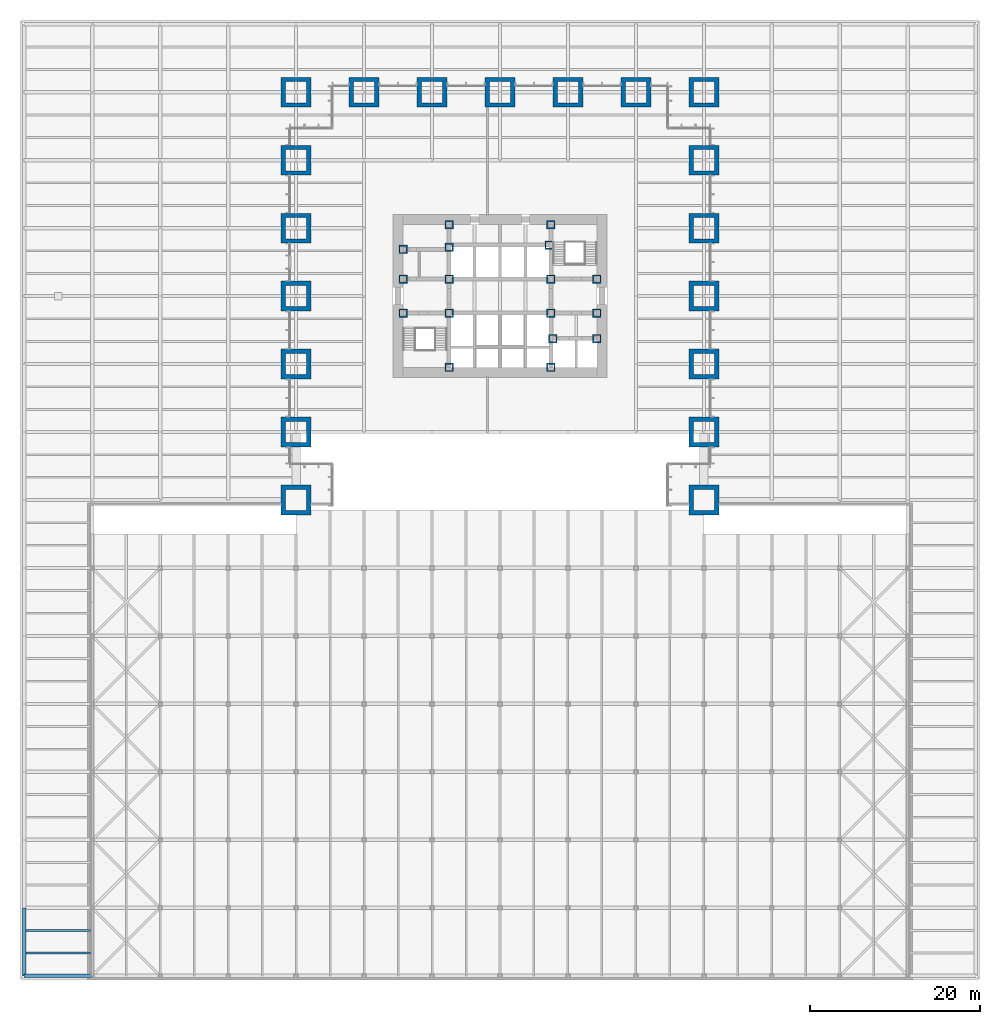
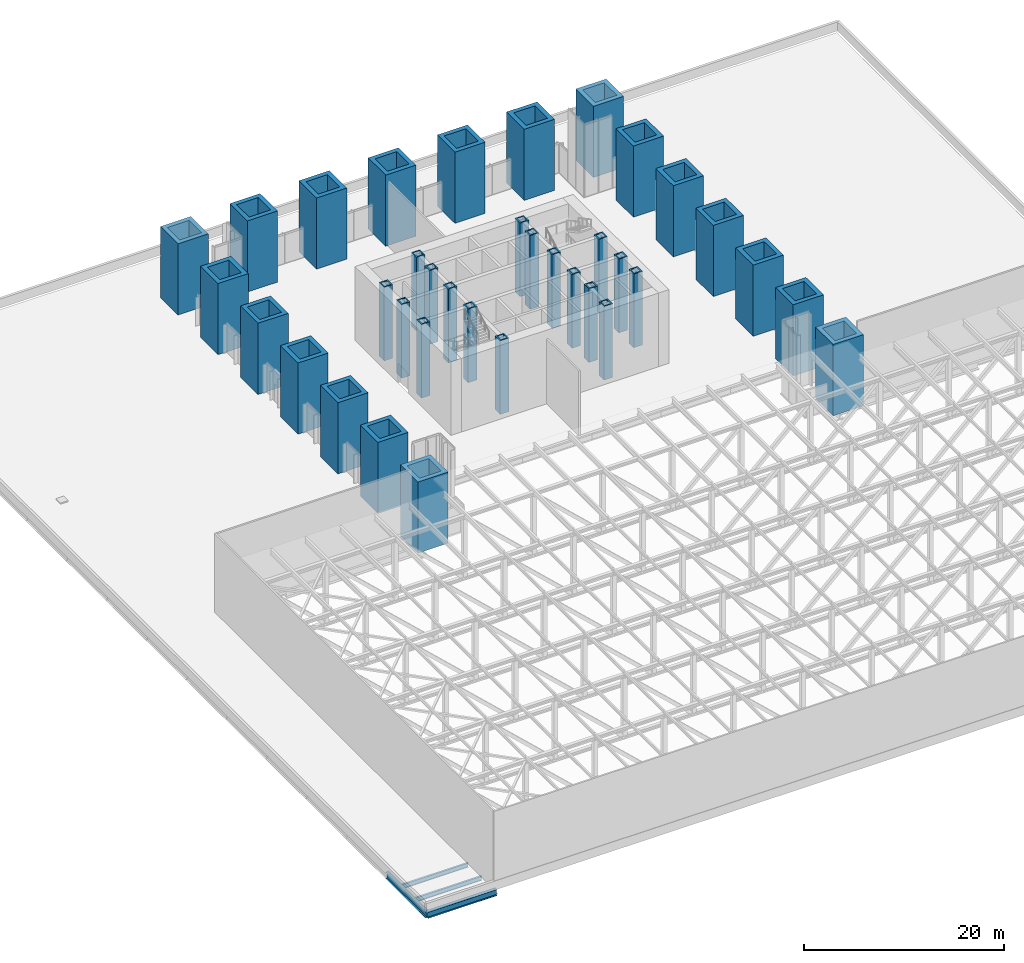
# One storey, part 1 of 20: 36 columns, 4 beams.
"""IFC4 building model written with IfcOpenShell, lengths in metres."""

from ifc_helpers import new_model, si_unit, direction, frame, origin, origin_2d, place, context, subcontext, project, spatial, hollow_rectangle, i_section, extrude, material, material_profile, profile_set, type_object, element, save


model = new_model("IFC4")

# Units and contexts
model_context = context("Model", 3, precision=1e-05, world=origin(), true_north=direction((0.0, 1.0)))
body_context = subcontext(model_context, "Body", "Model", "MODEL_VIEW")
ifc_project = project(units=[si_unit("LENGTHUNIT", "METRE"), si_unit("AREAUNIT", "SQUARE_METRE"), si_unit("VOLUMEUNIT", "CUBIC_METRE"), si_unit("PLANEANGLEUNIT", "RADIAN"), si_unit("MASSUNIT", "GRAM", prefix="KILO")], contexts=[model_context])

# Site, building, storey
site_placement = place(None, origin())
site = spatial("IfcSite", under=ifc_project, at=site_placement, CompositionType="ELEMENT")
building_placement = place(site_placement, origin())
building = spatial("IfcBuilding", under=site, at=building_placement, Name="Daluyong Arena Tower", CompositionType="ELEMENT")
storey_placement = place(building_placement, frame((0.0, 0.0, 25.89990234375)))
storey = spatial("IfcBuildingStorey", under=building, at=storey_placement, Name="L05", CompositionType="ELEMENT", Elevation=25.89990234375)

# Columns
ifc_material_1 = material(Name="Steel ASTM A588 Grade 50", Category="steel")
ifc_material_profile_1 = material_profile(ifc_material_1, hollow_rectangle(XDim=1.0, YDim=1.0, WallThickness=0.15, at=origin_2d()))
ifc_profile_set_1 = profile_set([ifc_material_profile_1], Name="Steel ASTM A588 Grade 50")
column_type_1 = type_object("IfcColumnType", Name="Core boundary column BX1000X150", PredefinedType="COLUMN", material=ifc_profile_set_1)
for number, where, z_axis, x_axis, name in (
    (1, (44.60009765625, 78.0, 0.0), (0.0, 0.0, 1.0), (1.0, 0.0, 0.0), "core boundary column BC1"),
    (2, (44.60009765625, 82.0, 0.0), (0.0, 0.0, 1.0), (1.0, 0.0, 0.0), "core boundary column BC1"),
    (3, (44.60009765625, 85.5, 0.0), (0.0, 0.0, 1.0), (1.0, 0.0, 0.0), "core boundary column BC1"),
    (4, (50.0, 71.60009765625, 0.0), (0.0, 0.0, 1.0), (1.0, 0.0, 0.0), "core boundary column BC1"),
    (5, (50.0, 78.0, 0.0), (0.0, 0.0, 1.0), (1.0, 0.0, 0.0), "core boundary column BC1"),
    (6, (50.0, 82.0, 0.0), (0.0, 0.0, 1.0), (1.0, 0.0, 0.0), "core boundary column BC1"),
    (7, (50.0, 85.75, 0.0), (0.0, 0.0, 1.0), (1.0, 0.0, 0.0), "core boundary column BC1"),
    (8, (50.0, 88.39990234375, 0.0), (0.0, 0.0, 1.0), (1.0, 0.0, 0.0), "core boundary column BC1"),
    (9, (61.77490234375, 86.0, 0.0), (0.0, 0.0, 1.0), (1.0, 0.0, 0.0), "core boundary column BC1"),
    (10, (62.0, 71.60009765625, 0.0), (0.0, 0.0, 1.0), (1.0, 0.0, 0.0), "core boundary column BC1"),
    (11, (62.0, 78.0, 0.0), (0.0, 0.0, 1.0), (1.0, 0.0, 0.0), "core boundary column BC1"),
    (12, (62.0, 82.0, 0.0), (0.0, 0.0, 1.0), (1.0, 0.0, 0.0), "core boundary column BC1"),
    (13, (62.0, 88.39990234375, 0.0), (0.0, 0.0, 1.0), (1.0, 0.0, 0.0), "core boundary column BC1"),
    (14, (62.22509765625, 75.0, 0.0), (0.0, 0.0, 1.0), (1.0, 0.0, 0.0), "core boundary column BC1"),
    (15, (67.39990234375, 75.0, 0.0), (0.0, 0.0, 1.0), (1.0, 0.0, 0.0), "core boundary column BC1"),
    (16, (67.39990234375, 78.0, 0.0), (0.0, 0.0, 1.0), (1.0, 0.0, 0.0), "core boundary column BC1"),
    (17, (67.39990234375, 82.0, 0.0), (0.0, 0.0, 1.0), (1.0, 0.0, 0.0), "core boundary column BC1"),
):
    element("IfcColumn", number, at=place(storey_placement, frame(where, z_axis=z_axis, x_axis=x_axis)), inside=storey, type_object=column_type_1, Name=name, PredefinedType="COLUMN", context=body_context, shape_type="SweptSolid", body=[
        extrude(hollow_rectangle(XDim=1.0, YDim=1.0, WallThickness=0.15, at=origin_2d()), origin(), (0.0, 0.0, 1.0), 9.0),
    ])
ifc_material_2 = material(Name="Steel ASTM A36", Category="steel")
ifc_material_profile_2 = material_profile(ifc_material_2, hollow_rectangle(XDim=3.5, YDim=3.5, WallThickness=0.5, at=origin_2d()))
ifc_profile_set_2 = profile_set([ifc_material_profile_2], Name="Steel ASTM A36")
column_type_2 = type_object("IfcColumnType", Name="Podium megacolumn BX3500X500", PredefinedType="COLUMN", material=ifc_profile_set_2)
for number, where, z_axis, x_axis, name in (
    (18, (32.0, 56.0, 0.0), (0.0, 0.0, 1.0), (1.0, 0.0, 0.0), "podium megacolumn MC1"),
    (19, (32.0, 64.0, 0.0), (0.0, 0.0, 1.0), (1.0, 0.0, 0.0), "podium megacolumn MC1"),
    (20, (32.0, 72.0, 0.0), (0.0, 0.0, 1.0), (1.0, 0.0, 0.0), "podium megacolumn MC1"),
    (21, (32.0, 80.0, 0.0), (0.0, 0.0, 1.0), (1.0, 0.0, 0.0), "podium megacolumn MC1"),
    (22, (32.0, 88.0, 0.0), (0.0, 0.0, 1.0), (1.0, 0.0, 0.0), "podium megacolumn MC1"),
    (23, (32.0, 96.0, 0.0), (0.0, 0.0, 1.0), (1.0, 0.0, 0.0), "podium megacolumn MC1"),
    (24, (32.0, 104.0, 0.0), (0.0, 0.0, 1.0), (1.0, 0.0, 0.0), "podium megacolumn MC1"),
    (25, (40.0, 104.0, 0.0), (0.0, 0.0, 1.0), (1.0, 0.0, 0.0), "podium megacolumn MC1"),
    (26, (48.0, 104.0, 0.0), (0.0, 0.0, 1.0), (1.0, 0.0, 0.0), "podium megacolumn MC1"),
    (27, (56.0, 104.0, 0.0), (0.0, 0.0, 1.0), (1.0, 0.0, 0.0), "podium megacolumn MC1"),
    (28, (64.0, 104.0, 0.0), (0.0, 0.0, 1.0), (1.0, 0.0, 0.0), "podium megacolumn MC1"),
    (29, (72.0, 104.0, 0.0), (0.0, 0.0, 1.0), (1.0, 0.0, 0.0), "podium megacolumn MC1"),
    (30, (80.0, 56.0, 0.0), (0.0, 0.0, 1.0), (1.0, 0.0, 0.0), "podium megacolumn MC1"),
    (31, (80.0, 64.0, 0.0), (0.0, 0.0, 1.0), (1.0, 0.0, 0.0), "podium megacolumn MC1"),
    (32, (80.0, 72.0, 0.0), (0.0, 0.0, 1.0), (1.0, 0.0, 0.0), "podium megacolumn MC1"),
    (33, (80.0, 80.0, 0.0), (0.0, 0.0, 1.0), (1.0, 0.0, 0.0), "podium megacolumn MC1"),
    (34, (80.0, 88.0, 0.0), (0.0, 0.0, 1.0), (1.0, 0.0, 0.0), "podium megacolumn MC1"),
    (35, (80.0, 96.0, 0.0), (0.0, 0.0, 1.0), (1.0, 0.0, 0.0), "podium megacolumn MC1"),
    (36, (80.0, 104.0, 0.0), (0.0, 0.0, 1.0), (1.0, 0.0, 0.0), "podium megacolumn MC1"),
):
    element("IfcColumn", number, at=place(storey_placement, frame(where, z_axis=z_axis, x_axis=x_axis)), inside=storey, type_object=column_type_2, Name=name, PredefinedType="COLUMN", context=body_context, shape_type="SweptSolid", body=[
        extrude(hollow_rectangle(XDim=3.5, YDim=3.5, WallThickness=0.5, at=origin_2d()), origin(), (0.0, 0.0, 1.0), 8.7001953125),
    ])

# Beams
ifc_material_3 = material(Name="Steel ASTM A992 Grade 50", Category="steel")
ifc_material_profile_3 = material_profile(ifc_material_3, i_section(OverallWidth=0.209228515625, OverallDepth=0.533447265625, WebThickness=0.01025390625, FlangeThickness=0.015625, at=origin_2d()))
ifc_profile_set_3 = profile_set([ifc_material_profile_3], Name="Steel ASTM A992 Grade 50")
beam_type_1 = type_object("IfcBeamType", Name="Podium floor beam W21X62", PredefinedType="BEAM", material=ifc_profile_set_3)
for number, where, z_axis, x_axis, name in (
    (37, (0.1904296875, 2.666748046875, -0.5166015625), (1.0, 0.0, 0.0), (0.0, 1.0, 0.0), "podium floor beam PB1"),
    (38, (0.1904296875, 5.333251953125, -0.5166015625), (1.0, 0.0, 0.0), (0.0, 1.0, 0.0), "podium floor beam PB1"),
):
    element("IfcBeam", number, at=place(storey_placement, frame(where, z_axis=z_axis, x_axis=x_axis)), inside=storey, type_object=beam_type_1, Name=name, PredefinedType="BEAM", context=body_context, shape_type="SweptSolid", body=[
        extrude(i_section(OverallWidth=0.209228515625, OverallDepth=0.533447265625, WebThickness=0.01025390625, FlangeThickness=0.015625, at=origin_2d()), origin(), (0.0, 0.0, 1.0), 7.619140625),
    ])
ifc_material_4 = material(Name="Steel ASTM A992 Grade 50", Category="steel")
ifc_material_profile_4 = material_profile(ifc_material_4, i_section(OverallWidth=0.381103515625, OverallDepth=0.772216796875, WebThickness=0.0166015625, FlangeThickness=0.027099609375, at=origin_2d()))
ifc_profile_set_4 = profile_set([ifc_material_profile_4], Name="Steel ASTM A992 Grade 50")
beam_type_2 = type_object("IfcBeamType", Name="Podium girder W30X173", PredefinedType="BEAM", material=ifc_profile_set_4)
for number, where, z_axis, x_axis, name in (
    (39, (0.0, 0.0, -0.635986328125), (1.0, 0.0, 0.0), (0.0, 1.0, 0.0), "podium girder PG1"),
    (40, (0.0, 0.0, -0.635986328125), (0.0, 1.0, 0.0), (-1.0, 0.0, 0.0), "podium girder PG1"),
):
    element("IfcBeam", number, at=place(storey_placement, frame(where, z_axis=z_axis, x_axis=x_axis)), inside=storey, type_object=beam_type_2, Name=name, PredefinedType="BEAM", context=body_context, shape_type="SweptSolid", body=[
        extrude(i_section(OverallWidth=0.381103515625, OverallDepth=0.772216796875, WebThickness=0.0166015625, FlangeThickness=0.027099609375, at=origin_2d()), origin(), (0.0, 0.0, 1.0), 8.0),
    ])

save(model, "model.ifc")
